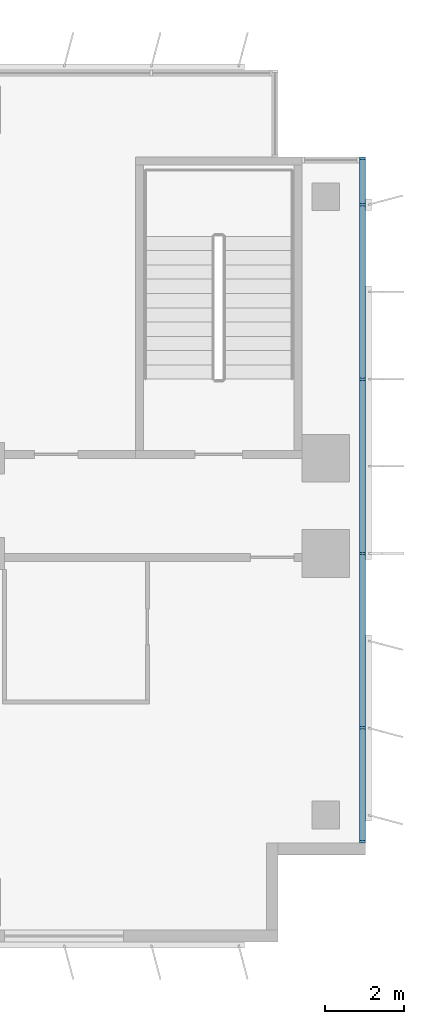
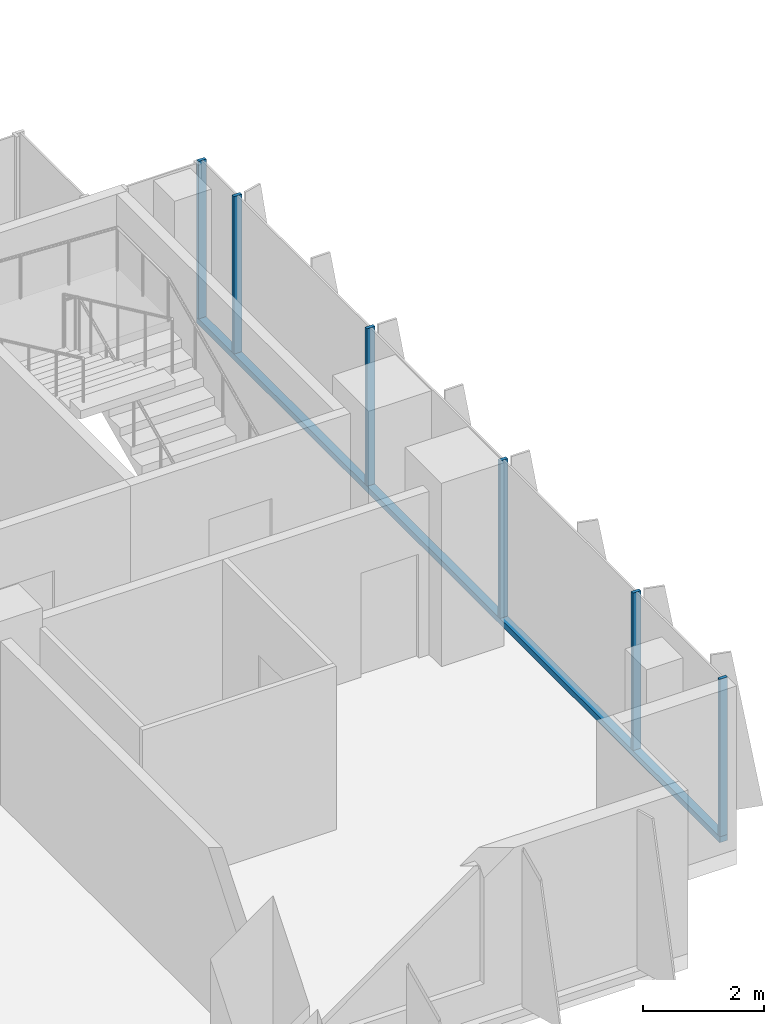
# One storey, part 8 of 22: 7 members, 1 element without a shape of its own.
"""IFC4 building model written with IfcOpenShell, lengths in metres."""

from ifc_helpers import new_model, si_unit, direction, frame, origin, origin_2d, place, context, subcontext, project, spatial, rectangle, extrude, source, transform, mapped, material, material_profile, profile_set, type_object, element, aggregate, save


model = new_model("IFC4")

# Units and contexts
model_context = context("Model", 3, precision=1e-05, world=origin(), true_north=direction((0.0, 1.0)))
body_context = subcontext(model_context, "Body", "Model", "MODEL_VIEW")
ifc_project = project(units=[si_unit("LENGTHUNIT", "METRE"), si_unit("AREAUNIT", "SQUARE_METRE"), si_unit("VOLUMEUNIT", "CUBIC_METRE"), si_unit("PLANEANGLEUNIT", "RADIAN"), si_unit("MASSUNIT", "GRAM", prefix="KILO")], contexts=[model_context])

# Site, building, storey
site_placement = place(None, origin())
site = spatial("IfcSite", under=ifc_project, at=site_placement, CompositionType="ELEMENT")
building_placement = place(site_placement, origin())
building = spatial("IfcBuilding", under=site, at=building_placement, Name="Kemantara Hotel Tower", CompositionType="ELEMENT")
storey_placement = place(building_placement, frame((0.0, 0.0, 98.199951171875)))
storey = spatial("IfcBuildingStorey", under=building, at=storey_placement, Name="L23", CompositionType="ELEMENT", Elevation=98.199951171875)

# Curtain wall, members
ifc_material_1 = material(Name="Low-E tinted double insulated glass 36 mm", Category="glass")
curtain_wall_type = type_object("IfcCurtainWallType", Name="TOWER CURTAIN WALL, FRONT FACES", PredefinedType="USERDEFINED", material=ifc_material_1)
curtain_wall_placement = place(storey_placement, origin())
curtain_wall = element("IfcCurtainWall", 1, at=curtain_wall_placement, inside=storey, type_object=curtain_wall_type, Name="CW4 L23 T2-R10-1", ObjectType="TOWER CURTAIN WALL, FRONT FACES", PredefinedType="USERDEFINED")
ifc_material_2 = material(Name="Aluminium 6063-T6 bronze anodised", Category="aluminium")
ifc_material_profile_1 = material_profile(ifc_material_2, rectangle(XDim=0.14990234375, YDim=0.1201171875, at=origin_2d()), Name="TOWER CURTAIN WALL, FRONT FACES TRANSOM")
ifc_profile_set_1 = profile_set([ifc_material_profile_1], Name="Aluminium 6063-T6 bronze anodised")
member_type_1 = type_object("IfcMemberType", Name="TOWER CURTAIN WALL, FRONT FACES TRANSOM", PredefinedType="USERDEFINED", material=ifc_profile_set_1)
member_1_placement = place(storey_placement, frame((63.52490234375, 2.5, 0.06005859375), z_axis=(0.0, 1.0, 0.0), x_axis=(-1.0, 0.0, 0.0)))
member_1 = element("IfcMember", 2, at=member_1_placement, type_object=member_type_1, Name="CW4 sill transom T2-R10-1", ObjectType="TRANSOM", PredefinedType="USERDEFINED", context=body_context, shape_type="SweptSolid", body=[
    extrude(rectangle(XDim=0.14990234375, YDim=0.1201171875, at=origin_2d()), origin(), (0.0, 0.0, 1.0), 17.300048828125),
])
ifc_material_profile_2 = material_profile(ifc_material_2, rectangle(XDim=0.14990234375, YDim=0.06005859375, at=origin_2d()), Name="TOWER CURTAIN WALL, FRONT FACES MULLION")
ifc_profile_set_2 = profile_set([ifc_material_profile_2], Name="Aluminium 6063-T6 bronze anodised")
member_type_2 = type_object("IfcMemberType", Name="TOWER CURTAIN WALL, FRONT FACES MULLION", PredefinedType="MULLION", material=ifc_profile_set_2)
shared_shape = source(origin(), body_context, "Body", "SweptSolid", [
    extrude(rectangle(XDim=0.14990234375, YDim=0.06005859375, at=origin_2d()), origin(), (0.0, 0.0, 1.0), 3.179931640625),
])
member_2_placement = place(storey_placement, frame((63.52490234375, 2.530029296875, 0.1201171875), z_axis=(0.0, 0.0, 1.0), x_axis=(-1.0, 0.0, 0.0)))
member_2 = element("IfcMember", 3, at=member_2_placement, type_object=member_type_2, Name="CW4 mullion T2-R10-1.1", PredefinedType="MULLION", context=body_context, shape_type="MappedRepresentation", body=[
    mapped(shared_shape, transform((0.0, 0.0, 0.0))),
])
member_3_placement = place(storey_placement, frame((63.52490234375, 5.39990234375, 0.1201171875), z_axis=(0.0, 0.0, 1.0), x_axis=(-1.0, 0.0, 0.0)))
member_3 = element("IfcMember", 4, at=member_3_placement, type_object=member_type_2, Name="CW4 mullion T2-R10-1.2", PredefinedType="MULLION", context=body_context, shape_type="MappedRepresentation", body=[
    mapped(shared_shape, transform((0.0, 0.0, 0.0))),
])
member_4_placement = place(storey_placement, frame((63.52490234375, 9.800048828125, 0.1201171875), z_axis=(0.0, 0.0, 1.0), x_axis=(-1.0, 0.0, 0.0)))
member_4 = element("IfcMember", 5, at=member_4_placement, type_object=member_type_2, Name="CW4 mullion T2-R10-1.3", PredefinedType="MULLION", context=body_context, shape_type="MappedRepresentation", body=[
    mapped(shared_shape, transform((0.0, 0.0, 0.0))),
])
member_5_placement = place(storey_placement, frame((63.52490234375, 14.199951171875, 0.1201171875), z_axis=(0.0, 0.0, 1.0), x_axis=(-1.0, 0.0, 0.0)))
member_5 = element("IfcMember", 6, at=member_5_placement, type_object=member_type_2, Name="CW4 mullion T2-R10-1.4", PredefinedType="MULLION", context=body_context, shape_type="MappedRepresentation", body=[
    mapped(shared_shape, transform((0.0, 0.0, 0.0))),
])
member_6_placement = place(storey_placement, frame((63.52490234375, 18.60009765625, 0.1201171875), z_axis=(0.0, 0.0, 1.0), x_axis=(-1.0, 0.0, 0.0)))
member_6 = element("IfcMember", 7, at=member_6_placement, type_object=member_type_2, Name="CW4 mullion T2-R10-1.5", PredefinedType="MULLION", context=body_context, shape_type="MappedRepresentation", body=[
    mapped(shared_shape, transform((0.0, 0.0, 0.0))),
])
member_7_placement = place(storey_placement, frame((63.52490234375, 19.77001953125, 0.1201171875), z_axis=(0.0, 0.0, 1.0), x_axis=(-1.0, 0.0, 0.0)))
member_7 = element("IfcMember", 8, at=member_7_placement, type_object=member_type_2, Name="CW4 mullion T2-R10-1.6", PredefinedType="MULLION", context=body_context, shape_type="MappedRepresentation", body=[
    mapped(shared_shape, transform((0.0, 0.0, 0.0))),
])
aggregate(curtain_wall, [member_1, member_2, member_3, member_4, member_5, member_6, member_7])

save(model, "model.ifc")
